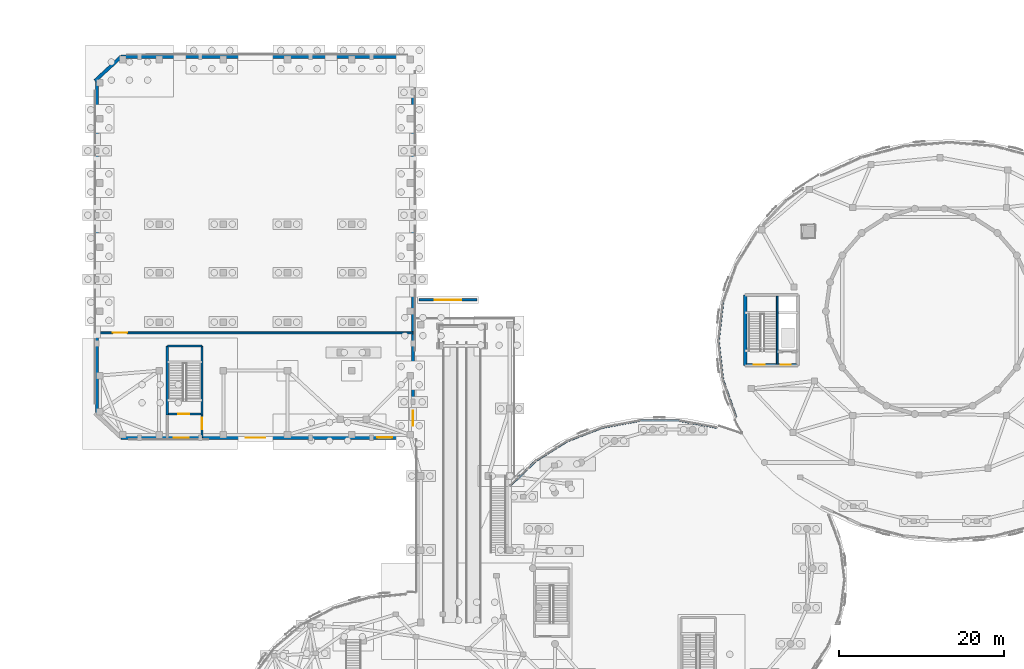
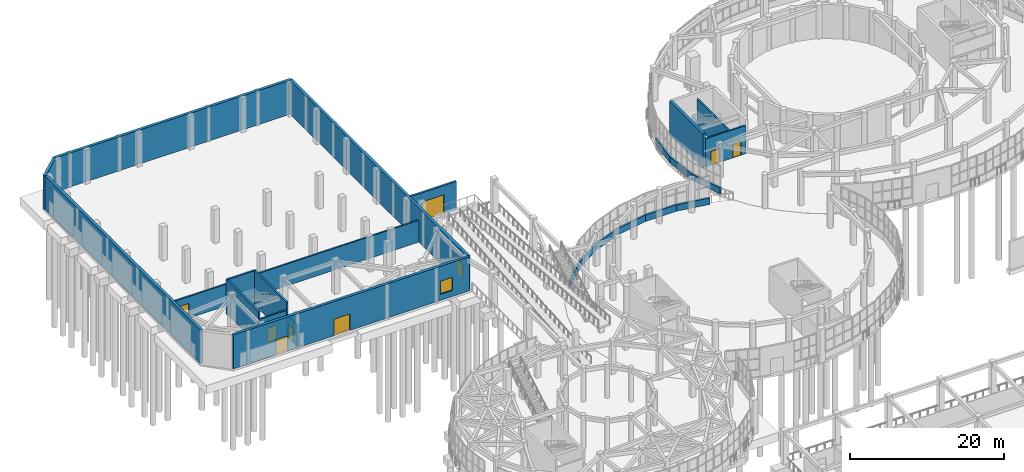
# One storey, part 75 of 96: 24 walls, 8 doors, 2 windows, 10 openings.
"""IFC4 building model written with IfcOpenShell, lengths in metres."""

import ifcopenshell
import ifcopenshell.guid

model = None  # the IFC model being written
_history = None  # IfcOwnerHistory: only IFC2X3 demands one
_inside = {}  # id of a spatial element -> (the spatial element, [elements in it])
_under = {}  # id of a project, library or spatial element -> (it, [spatial elements below it])
_declared = {}  # id of a project -> (the project, [libraries it declares])
_typed = {}  # id of a type object -> (the type object, [elements of that type])
_made_of = {}  # id of a material, layer set ... -> (it, [elements and type objects made of it])


def new_model(schema):
    """Start an empty IFC model of exactly this schema.

    Asked for "IFC4X3", IfcOpenShell would pick the latest addendum, in which some entities
    have other attributes; the version numbers below select the first issue.
    IFC2X3 requires an IfcOwnerHistory on every rooted entity: one is made here for all.
    """
    global model, _history
    if schema == "IFC4X3":
        model = ifcopenshell.file(schema_version=(4, 3, 0, 0))
    else:
        model = ifcopenshell.file(schema=schema)
    _inside.clear()
    _under.clear()
    _declared.clear()
    _typed.clear()
    _made_of.clear()
    _history = None
    if model.schema == "IFC2X3":
        org = make("IfcOrganization", Name="unknown")
        user = make(
            "IfcPersonAndOrganization",
            ThePerson=make("IfcPerson", FamilyName="unknown"),
            TheOrganization=org,
        )
        app = make(
            "IfcApplication",
            ApplicationDeveloper=org,
            Version="unknown",
            ApplicationFullName="unknown",
            ApplicationIdentifier="unknown",
        )
        _history = make(
            "IfcOwnerHistory",
            OwningUser=user,
            OwningApplication=app,
            ChangeAction="ADDED",
            CreationDate=0,
        )
    return model


def make(cls, **values):
    """One entity of the class cls with the attributes given. An attribute that is None is left unset."""
    return model.create_entity(
        cls, **{name: value for name, value in values.items() if value is not None}
    )


def rooted(cls, **values):
    """An entity with a GlobalId (a new one), such as an element, a storey or a relation."""
    return make(cls, GlobalId=ifcopenshell.guid.new(), OwnerHistory=_history, **values)


def si_unit(unit_type, name, prefix=None):
    """IfcSIUnit, for example si_unit("LENGTHUNIT", "METRE", prefix="MILLI")."""
    return make("IfcSIUnit", UnitType=unit_type, Prefix=prefix, Name=name)


def assignment(units):
    """IfcUnitAssignment: the units of a project."""
    return None if units is None else make("IfcUnitAssignment", Units=units)


def point(xyz):
    """IfcCartesianPoint."""
    return None if xyz is None else make("IfcCartesianPoint", Coordinates=xyz)


def direction(xyz):
    """IfcDirection."""
    return None if xyz is None else make("IfcDirection", DirectionRatios=xyz)


def frame(location, z_axis=None, x_axis=None):
    """IfcAxis2Placement3D, a coordinate frame: its origin and axes. An axis left out is left unset."""
    return make(
        "IfcAxis2Placement3D",
        Location=point(location),
        Axis=direction(z_axis),
        RefDirection=direction(x_axis),
    )


def frame_2d(location, x_axis=None):
    """IfcAxis2Placement2D, a coordinate frame in the plane: its origin and x axis."""
    return make(
        "IfcAxis2Placement2D", Location=point(location), RefDirection=direction(x_axis)
    )


def origin():
    """The frame at (0, 0, 0) with its axes left unset."""
    return frame((0.0, 0.0, 0.0))


def place(relative_to, where):
    """IfcLocalPlacement: puts the frame where relative to a parent placement (None: the world)."""
    return make(
        "IfcLocalPlacement", PlacementRelTo=relative_to, RelativePlacement=where
    )


def context(
    kind, dimensions, precision=None, world=None, true_north=None, identifier=None
):
    """IfcGeometricRepresentationContext, for example the 3D "Model" context."""
    return make(
        "IfcGeometricRepresentationContext",
        ContextIdentifier=identifier,
        ContextType=kind,
        CoordinateSpaceDimension=dimensions,
        Precision=precision,
        WorldCoordinateSystem=world,
        TrueNorth=true_north,
    )


def subcontext(parent, identifier, kind, view, scale=None):
    """IfcGeometricRepresentationSubContext, for example "Body" below "Model"."""
    return make(
        "IfcGeometricRepresentationSubContext",
        ContextIdentifier=identifier,
        ContextType=kind,
        ParentContext=parent,
        TargetScale=scale,
        TargetView=view,
    )


def project(units=None, contexts=None):
    """IfcProject with its units and contexts."""
    return rooted(
        "IfcProject",
        Name="project",
        RepresentationContexts=contexts,
        UnitsInContext=assignment(units),
    )


def spatial(cls, under=None, at=None, **own):
    """A site, building, storey or space (cls), placed at a placement, below another one or the project."""
    s = rooted(cls, ObjectPlacement=at, **own)
    if under is not None:
        _under.setdefault(under.id(), (under, []))[1].append(s)
    return s


def profile(cls, at=None, kind="AREA", **sizes):
    """A parametric profile (cls). Its sizes go by their IFC names, for example OverallWidth=200.0."""
    return make(cls, ProfileType=kind, Position=at, **sizes)


def rectangle(**sizes):
    """IfcRectangleProfileDef."""
    return profile("IfcRectangleProfileDef", **sizes)


def extrude(swept, where, along, depth):
    """IfcExtrudedAreaSolid: the profile swept, set in the frame where, extruded along a direction by depth."""
    return make(
        "IfcExtrudedAreaSolid",
        SweptArea=swept,
        Position=where,
        ExtrudedDirection=direction(along),
        Depth=depth,
    )


def shape(context_of_items, identifier, shape_type, items):
    """IfcShapeRepresentation: the items that make up one representation, for example the "Body"."""
    return make(
        "IfcShapeRepresentation",
        ContextOfItems=context_of_items,
        RepresentationIdentifier=identifier,
        RepresentationType=shape_type,
        Items=items,
    )


def material(Name=None, Category=None):
    """IfcMaterial."""
    return make("IfcMaterial", Name=Name, Category=Category)


def layer(
    of_material, thickness, ventilated=None, Name=None, Category=None, Priority=None
):
    """IfcMaterialLayer: one layer of a wall or slab, of a material (None: an air gap)."""
    return make(
        "IfcMaterialLayer",
        Material=of_material,
        LayerThickness=thickness,
        IsVentilated=ventilated,
        Name=Name,
        Category=Category,
        Priority=Priority,
    )


def layer_set(layers, Name=None):
    """IfcMaterialLayerSet."""
    return make("IfcMaterialLayerSet", MaterialLayers=layers, LayerSetName=Name)


def made_of(thing, what):
    """Note that an element or type object is made of a material, layer set ...; save() writes the relation."""
    if what is not None:
        _made_of.setdefault(what.id(), (what, []))[1].append(thing)
    return thing


def type_object(cls, material=None, **own):
    """A type object (cls), such as IfcWallType, which elements share."""
    return made_of(rooted(cls, **own), material)


def element(
    cls,
    number,
    at=None,
    inside=None,
    cuts=None,
    type_object=None,
    material=None,
    context=None,
    identifier="Body",
    shape_type=None,
    held_by="IfcProductDefinitionShape",
    body=None,
    shapes=None,
    **own,
):
    """One element of the class cls, such as IfcWall. Its Tag is "e" and its number.

    at: its placement. inside: the storey or other place that contains it. cuts: it is an
    opening in that element (IfcRelVoidsElement). A single representation is given by context,
    identifier, shape_type and body (its items); several are given by shapes. held_by: the class
    of the entity that holds the representations. save() writes the other relations.
    """
    e = rooted(cls, Tag="e%d" % number, ObjectPlacement=at, **own)
    if body is not None:
        shapes = [shape(context, identifier, shape_type, body)]
    if shapes is not None:
        e.Representation = make(held_by, Representations=shapes)
    if inside is not None:
        _inside.setdefault(inside.id(), (inside, []))[1].append(e)
    if cuts is not None:
        rooted(
            "IfcRelVoidsElement", RelatingBuildingElement=cuts, RelatedOpeningElement=e
        )
    if type_object is not None:
        _typed.setdefault(type_object.id(), (type_object, []))[1].append(e)
    return made_of(e, material)


def fill(opening, filler):
    """IfcRelFillsElement: the door or window that sits in an opening."""
    return rooted(
        "IfcRelFillsElement",
        RelatingOpeningElement=opening,
        RelatedBuildingElement=filler,
    )


def aggregate(whole, parts):
    """IfcRelAggregates: a whole, such as a stair, and the parts it consists of."""
    return rooted("IfcRelAggregates", RelatingObject=whole, RelatedObjects=parts)


def save(model, path):
    """Write the relations noted so far, then the file.

    IfcRelAggregates (storeys below a building ...), IfcRelContainedInSpatialStructure (elements
    in a storey), IfcRelDefinesByType, IfcRelAssociatesMaterial and IfcRelDeclares: one each for
    every whole, place, type object, material and project.
    """
    for whole, parts in _under.values():
        aggregate(whole, parts)
    for where, things in _inside.values():
        rooted(
            "IfcRelContainedInSpatialStructure",
            RelatedElements=things,
            RelatingStructure=where,
        )
    for kind, things in _typed.values():
        rooted("IfcRelDefinesByType", RelatedObjects=things, RelatingType=kind)
    for what, things in _made_of.values():
        rooted("IfcRelAssociatesMaterial", RelatedObjects=things, RelatingMaterial=what)
    for by, libraries in _declared.values():
        rooted("IfcRelDeclares", RelatingContext=by, RelatedDefinitions=libraries)
    model.write(path)


model = new_model("IFC4")

# Units and contexts
model_context = context("Model", 3, precision=1e-05, world=origin(), true_north=direction((0.0, 1.0)))
body_context = subcontext(model_context, "Body", "Model", "MODEL_VIEW")
ifc_project = project(units=[si_unit("LENGTHUNIT", "METRE"), si_unit("AREAUNIT", "SQUARE_METRE"), si_unit("VOLUMEUNIT", "CUBIC_METRE"), si_unit("PLANEANGLEUNIT", "RADIAN"), si_unit("MASSUNIT", "GRAM", prefix="KILO")], contexts=[model_context])

# Site, building, storey
site_placement = place(None, origin())
site = spatial("IfcSite", under=ifc_project, at=site_placement, CompositionType="ELEMENT")
building_placement = place(site_placement, origin())
building = spatial("IfcBuilding", under=site, at=building_placement, Name="Pelvatis Terrace Science Centre", CompositionType="ELEMENT")
storey_placement = place(building_placement, origin())
storey = spatial("IfcBuildingStorey", under=building, at=storey_placement, Name="L00", CompositionType="ELEMENT", Elevation=0.0)

# Walls
ifc_material_1 = material(Name="Precast concrete C40/50 double acoustic shell", Category="concrete")
ifc_layer_1 = layer(ifc_material_1, 0.409912109375)
ifc_layer_set_1 = layer_set([ifc_layer_1], Name="Precast concrete C40/50 double acoustic shell")
wall_type_1 = type_object("IfcWallType", Name="WL-EXT-ACOU-410", PredefinedType="SOLIDWALL", material=ifc_layer_set_1)
wall_1_placement = place(storey_placement, frame((8.050048828125, 73.39990234375, 0.0), z_axis=(0.0, 0.0, 1.0), x_axis=(0.0, 1.0, 0.0)))
element("IfcWall", 1, at=wall_1_placement, inside=storey, type_object=wall_type_1, Name="Theatre classical stone acoustic wall W (L00)", PredefinedType="SOLIDWALL", context=body_context, shape_type="SweptSolid", body=[
    extrude(rectangle(XDim=40.400146484375, YDim=0.409912109375, at=frame_2d((20.2001953125, 0.0))), origin(), (0.0, 0.0, 1.0), 5.39990234375),
])
wall_2_placement = place(storey_placement, frame((11.0, 116.75, 0.0), z_axis=(0.0, 0.0, 1.0), x_axis=(1.0, 0.0, 0.0)))
element("IfcWall", 2, at=wall_2_placement, inside=storey, type_object=wall_type_1, Name="Theatre classical stone acoustic wall N (L00)", PredefinedType="SOLIDWALL", context=body_context, shape_type="SweptSolid", body=[
    extrude(rectangle(XDim=35.449951171875, YDim=0.409912109375, at=frame_2d((17.72509765625, 0.0))), origin(), (0.0, 0.0, 1.0), 5.39990234375),
])

# Wall, openings, doors, window
wall_3_placement = place(storey_placement, frame((46.449951171875, 70.449951171875, 0.0), z_axis=(0.0, 0.0, 1.0), x_axis=(-1.0, 0.0, 0.0)))
wall_3 = element("IfcWall", 3, at=wall_3_placement, inside=storey, type_object=wall_type_1, Name="Theatre classical stone acoustic wall S (L00)", PredefinedType="SOLIDWALL", context=body_context, shape_type="SweptSolid", body=[
    extrude(rectangle(XDim=35.449951171875, YDim=0.409912109375, at=frame_2d((17.72509765625, 0.0))), origin(), (0.0, 0.0, 1.0), 5.39990234375),
])
opening_1_placement = place(wall_3_placement, frame((17.949951171875, 0.0, 0.0)))
opening_1 = element("IfcOpeningElement", 4, at=opening_1_placement, cuts=wall_3, Name="Opening D-011", PredefinedType="OPENING", context=body_context, shape_type="SweptSolid", body=[
    extrude(rectangle(XDim=2.39990234375, YDim=2.60009765625, at=frame_2d((1.199951171875, 1.300048828125))), frame((0.0, 0.21484375, 0.0), z_axis=(0.0, -1.0, 0.0), x_axis=(1.0, 0.0, 0.0)), (0.0, 0.0, 1.0), 0.429931640625),
])
opening_2_placement = place(wall_3_placement, frame((27.25, 0.0, 0.0)))
opening_2 = element("IfcOpeningElement", 5, at=opening_2_placement, cuts=wall_3, Name="Opening D-012", PredefinedType="OPENING", context=body_context, shape_type="SweptSolid", body=[
    extrude(rectangle(XDim=1.800048828125, YDim=2.39990234375, at=frame_2d((0.89990234375, 1.199951171875))), frame((0.0, 0.21484375, 0.0), z_axis=(0.0, -1.0, 0.0), x_axis=(1.0, 0.0, 0.0)), (0.0, 0.0, 1.0), 0.429931640625),
])
opening_3_placement = place(wall_3_placement, frame((2.550048828125, 0.0, 0.949951171875)))
opening_3 = element("IfcOpeningElement", 6, at=opening_3_placement, cuts=wall_3, Name="Opening W-001", PredefinedType="OPENING", context=body_context, shape_type="SweptSolid", body=[
    extrude(rectangle(XDim=1.800048828125, YDim=2.10009765625, at=frame_2d((0.89990234375, 1.050048828125))), frame((0.0, 0.21484375, 0.0), z_axis=(0.0, -1.0, 0.0), x_axis=(1.0, 0.0, 0.0)), (0.0, 0.0, 1.0), 0.429931640625),
])
ifc_material_2 = material(Name="Bronze-framed glazed double exit door", Category="glass")
door_type_1 = type_object("IfcDoorType", Name="DR-EXT-1800x2400", OperationType="NOTDEFINED", PredefinedType="DOOR", material=ifc_material_2)
door_1_placement = place(opening_2_placement, origin())
door_1 = element("IfcDoor", 7, at=door_1_placement, inside=storey, type_object=door_type_1, Name="Stair ST-07 protected exit discharge door D-012", OperationType="DOUBLE_DOOR_SINGLE_SWING", OverallHeight=2.39990234375, OverallWidth=1.800048828125, PredefinedType="DOOR", context=body_context, shape_type="SweptSolid", body=[
    extrude(rectangle(XDim=1.800048828125, YDim=2.39990234375, at=frame_2d((0.89990234375, 1.199951171875))), frame((0.0, 0.02490234375, 0.0), z_axis=(0.0, -1.0, 0.0), x_axis=(1.0, 0.0, 0.0)), (0.0, 0.0, 1.0), 0.050048828125),
])
fill(opening_2, door_1)
ifc_material_3 = material(Name="Bronze-framed glazed double entrance door", Category="glass")
door_type_2 = type_object("IfcDoorType", Name="DR-EXT-2400x2600", OperationType="NOTDEFINED", PredefinedType="DOOR", material=ifc_material_3)
door_2_placement = place(opening_1_placement, origin())
door_2 = element("IfcDoor", 8, at=door_2_placement, inside=storey, type_object=door_type_2, Name="Science Theatre south classical foyer portal door D-011", OperationType="DOUBLE_DOOR_SINGLE_SWING", OverallHeight=2.60009765625, OverallWidth=2.39990234375, PredefinedType="DOOR", context=body_context, shape_type="SweptSolid", body=[
    extrude(rectangle(XDim=2.39990234375, YDim=2.60009765625, at=frame_2d((1.199951171875, 1.300048828125))), frame((0.0, 0.02490234375, 0.0), z_axis=(0.0, -1.0, 0.0), x_axis=(1.0, 0.0, 0.0)), (0.0, 0.0, 1.0), 0.050048828125),
])
fill(opening_1, door_2)
ifc_material_4 = material(Name="Bronze-anodised aluminium and laminated low-e glass", Category="aluminium")
window_type = type_object("IfcWindowType", Name="WIN-LAB-1800x2100", PartitioningType="SINGLE_PANEL", PredefinedType="WINDOW", material=ifc_material_4)
window_1_placement = place(opening_3_placement, origin())
window_1 = element("IfcWindow", 9, at=window_1_placement, inside=storey, type_object=window_type, Name="Theatre south Art Deco foyer window W-001", OverallHeight=2.10009765625, OverallWidth=1.800048828125, PartitioningType="SINGLE_PANEL", PredefinedType="WINDOW", context=body_context, shape_type="SweptSolid", body=[
    extrude(rectangle(XDim=1.800048828125, YDim=2.10009765625, at=frame_2d((0.89990234375, 1.050048828125))), frame((0.0, 0.030029296875, 0.0), z_axis=(0.0, -1.0, 0.0), x_axis=(1.0, 0.0, 0.0)), (0.0, 0.0, 1.0), 0.06005859375),
])
fill(opening_3, window_1)

# Wall, opening, window
wall_4_placement = place(storey_placement, frame((46.449951171875, 70.449951171875, 0.0), z_axis=(0.0, 0.0, 1.0), x_axis=(0.0, 1.0, 0.0)))
wall_4 = element("IfcWall", 10, at=wall_4_placement, inside=storey, type_object=wall_type_1, Name="Theatre classical stone acoustic wall E (L00)", PredefinedType="SOLIDWALL", context=body_context, shape_type="SweptSolid", body=[
    extrude(rectangle(XDim=46.300048828125, YDim=0.409912109375, at=frame_2d((23.14990234375, 0.0))), origin(), (0.0, 0.0, 1.0), 5.39990234375),
])
opening_4_placement = place(wall_4_placement, frame((1.449951171875, 0.0, 0.949951171875)))
opening_4 = element("IfcOpeningElement", 11, at=opening_4_placement, cuts=wall_4, Name="Opening W-002", PredefinedType="OPENING", context=body_context, shape_type="SweptSolid", body=[
    extrude(rectangle(XDim=1.800048828125, YDim=2.10009765625, at=frame_2d((0.89990234375, 1.050048828125))), frame((0.0, 0.21484375, 0.0), z_axis=(0.0, -1.0, 0.0), x_axis=(1.0, 0.0, 0.0)), (0.0, 0.0, 1.0), 0.429931640625),
])
window_2_placement = place(opening_4_placement, origin())
window_2 = element("IfcWindow", 12, at=window_2_placement, inside=storey, type_object=window_type, Name="Theatre east foyer window W-002", OverallHeight=2.10009765625, OverallWidth=1.800048828125, PartitioningType="SINGLE_PANEL", PredefinedType="WINDOW", context=body_context, shape_type="SweptSolid", body=[
    extrude(rectangle(XDim=1.800048828125, YDim=2.10009765625, at=frame_2d((0.89990234375, 1.050048828125))), frame((0.0, 0.030029296875, 0.0), z_axis=(0.0, -1.0, 0.0), x_axis=(1.0, 0.0, 0.0)), (0.0, 0.0, 1.0), 0.06005859375),
])
fill(opening_4, window_2)

# Wall
wall_5_placement = place(storey_placement, frame((7.800048828125, 113.800048828125, 0.0), z_axis=(0.0, 0.0, 1.0), x_axis=(0.735244168043, 0.677802340922, 0.0)))
element("IfcWall", 13, at=wall_5_placement, inside=storey, type_object=wall_type_1, Name="Theatre classical stone acoustic wall NW (L00)", PredefinedType="SOLIDWALL", context=body_context, shape_type="SweptSolid", body=[
    extrude(rectangle(XDim=4.352294921875, YDim=0.409912109375, at=frame_2d((2.17626953125, 0.0))), origin(), (0.0, 0.0, 1.0), 5.39990234375),
])

# Wall, opening, door
ifc_material_5 = material(Name="Precast concrete C35/45 architectural stone", Category="masonry")
ifc_layer_2 = layer(ifc_material_5, 0.324951171875)
ifc_layer_set_2 = layer_set([ifc_layer_2], Name="Precast concrete C35/45 architectural stone")
wall_type_2 = type_object("IfcWallType", Name="WL-EXT-PREC-325", PredefinedType="SOLIDWALL", material=ifc_layer_set_2)
wall_6_placement = place(storey_placement, frame((47.199951171875, 87.199951171875, 0.0), z_axis=(0.0, 0.0, 1.0), x_axis=(1.0, 0.0, 0.0)))
wall_6 = element("IfcWall", 14, at=wall_6_placement, inside=storey, type_object=wall_type_2, Name="L00 exterior wall EW-L00-CRTGATE1", PredefinedType="SOLIDWALL", context=body_context, shape_type="SweptSolid", body=[
    extrude(rectangle(XDim=7.0, YDim=0.324951171875, at=frame_2d((3.5, 0.0))), origin(), (0.0, 0.0, 1.0), 4.4599609375),
])
opening_5_placement = place(wall_6_placement, frame((1.89990234375, 0.0, 0.0)))
opening_5 = element("IfcOpeningElement", 15, at=opening_5_placement, cuts=wall_6, Name="Opening G-001", PredefinedType="OPENING", context=body_context, shape_type="SweptSolid", body=[
    extrude(rectangle(XDim=3.199951171875, YDim=3.0, at=frame_2d((1.60009765625, 1.5))), frame((0.0, 0.17236328125, 0.0), z_axis=(0.0, -1.0, 0.0), x_axis=(1.0, 0.0, 0.0)), (0.0, 0.0, 1.0), 0.344970703125),
])
ifc_material_6 = material(Name="Perforated bronze courtyard service gate", Category="aluminium")
door_type_3 = type_object("IfcDoorType", Name="GT-SRV-3200x3000", OperationType="NOTDEFINED", PredefinedType="GATE", material=ifc_material_6)
door_3_placement = place(opening_5_placement, origin())
door_3 = element("IfcDoor", 16, at=door_3_placement, inside=storey, type_object=door_type_3, Name="Geological court service gate G-001", OperationType="DOUBLE_DOOR_SINGLE_SWING", OverallHeight=3.0, OverallWidth=3.199951171875, PredefinedType="GATE", context=body_context, shape_type="SweptSolid", body=[
    extrude(rectangle(XDim=3.199951171875, YDim=3.0, at=frame_2d((1.60009765625, 1.5))), frame((0.0, 0.02490234375, 0.0), z_axis=(0.0, -1.0, 0.0), x_axis=(1.0, 0.0, 0.0)), (0.0, 0.0, 1.0), 0.050048828125),
])
fill(opening_5, door_3)

# Walls
ifc_material_7 = material(Name="White architectural precast concrete C40/50 spandrel", Category="concrete")
ifc_layer_3 = layer(ifc_material_7, 0.27490234375)
ifc_layer_set_3 = layer_set([ifc_layer_3], Name="White architectural precast concrete C40/50 spandrel")
wall_type_3 = type_object("IfcWallType", Name="WL-EXT-SPND-275", PredefinedType="SOLIDWALL", material=ifc_layer_set_3)
wall_7_placement = place(storey_placement, frame((83.33740234375, 71.697998046875, 0.0), z_axis=(0.0, 0.0, 1.0), x_axis=(-0.983461524826, 0.181117169776, 0.0)))
element("IfcWall", 17, at=wall_7_placement, inside=storey, type_object=wall_type_3, Name="V2 white spiral spandrel band 07 (L00)", PredefinedType="SOLIDWALL", context=body_context, shape_type="SweptSolid", body=[
    extrude(rectangle(XDim=4.66796875, YDim=0.27490234375, at=frame_2d((2.333984375, 0.0))), origin(), (0.0, 0.0, 1.0), 1.02001953125),
])
wall_8_placement = place(storey_placement, frame((78.74658203125, 72.54345703125, 0.0), z_axis=(0.0, 0.0, 1.0), x_axis=(-1.0, 0.0, 0.0)))
element("IfcWall", 18, at=wall_8_placement, inside=storey, type_object=wall_type_3, Name="V2 white spiral spandrel band 08 (L00)", PredefinedType="SOLIDWALL", context=body_context, shape_type="SweptSolid", body=[
    extrude(rectangle(XDim=4.693359375, YDim=0.27490234375, at=frame_2d((2.3466796875, 0.0))), origin(), (0.0, 0.0, 1.0), 1.02001953125),
])
wall_9_placement = place(storey_placement, frame((74.05322265625, 72.54345703125, 0.0), z_axis=(0.0, 0.0, 1.0), x_axis=(-0.983459809052, -0.181126486132, 0.0)))
element("IfcWall", 19, at=wall_9_placement, inside=storey, type_object=wall_type_3, Name="V2 white spiral spandrel band 09 (L00)", PredefinedType="SOLIDWALL", context=body_context, shape_type="SweptSolid", body=[
    extrude(rectangle(XDim=4.667724609375, YDim=0.27490234375, at=frame_2d((2.333984375, 0.0))), origin(), (0.0, 0.0, 1.0), 1.02001953125),
])
wall_10_placement = place(storey_placement, frame((69.462646484375, 71.697998046875, 0.0), z_axis=(0.0, 0.0, 1.0), x_axis=(-0.933000129412, -0.359876032151, 0.0)))
element("IfcWall", 20, at=wall_10_placement, inside=storey, type_object=wall_type_3, Name="V2 white spiral spandrel band 10 (L00)", PredefinedType="SOLIDWALL", context=body_context, shape_type="SweptSolid", body=[
    extrude(rectangle(XDim=4.595458984375, YDim=0.27490234375, at=frame_2d((2.2978515625, 0.0))), origin(), (0.0, 0.0, 1.0), 1.02001953125),
])
wall_11_placement = place(storey_placement, frame((65.175048828125, 70.044189453125, 0.0), z_axis=(0.0, 0.0, 1.0), x_axis=(-0.846321881283, -0.532671825106, 0.0)))
element("IfcWall", 21, at=wall_11_placement, inside=storey, type_object=wall_type_3, Name="V2 white spiral spandrel band 11 (L00)", PredefinedType="SOLIDWALL", context=body_context, shape_type="SweptSolid", body=[
    extrude(rectangle(XDim=4.486572265625, YDim=0.27490234375, at=frame_2d((2.2431640625, 0.0))), origin(), (0.0, 0.0, 1.0), 1.02001953125),
])
wall_12_placement = place(storey_placement, frame((61.3779296875, 67.654296875, 0.0), z_axis=(0.0, 0.0, 1.0), x_axis=(-0.720560669205, -0.693391896402, 0.0)))
element("IfcWall", 22, at=wall_12_placement, inside=storey, type_object=wall_type_3, Name="V2 white spiral spandrel band 12 (L00)", PredefinedType="SOLIDWALL", context=body_context, shape_type="SweptSolid", body=[
    extrude(rectangle(XDim=4.358154296875, YDim=0.27490234375, at=frame_2d((2.17919921875, 0.0))), origin(), (0.0, 0.0, 1.0), 1.02001953125),
])
for number, where, z_axis, x_axis, name in (
    (23, (84.089111328125, 86.911376953125, 0.0), (0.0, 0.0, 1.0), (-0.113674364195, -0.9935180617, 0.0), "V1 white spiral spandrel band 16 (L00)"),
    (24, (83.550048828125, 82.199951171875, 0.0), (0.0, 0.0, 1.0), (0.113674364195, -0.9935180617, 0.0), "V1 white spiral spandrel band 17 (L00)"),
):
    element("IfcWall", number, at=place(storey_placement, frame(where, z_axis=z_axis, x_axis=x_axis)), inside=storey, type_object=wall_type_3, Name=name, PredefinedType="SOLIDWALL", context=body_context, shape_type="SweptSolid", body=[
        extrude(rectangle(XDim=4.7421875, YDim=0.27490234375, at=frame_2d((2.37109375, 0.0))), origin(), (0.0, 0.0, 1.0), 1.02001953125),
    ])
wall_13_placement = place(storey_placement, frame((84.089111328125, 77.488525390625, 0.0), z_axis=(0.0, 0.0, 1.0), x_axis=(0.332314915651, -0.943168488042, 0.0)))
element("IfcWall", 25, at=wall_13_placement, inside=storey, type_object=wall_type_3, Name="V1 white spiral spandrel band 18 (L00)", PredefinedType="SOLIDWALL", context=body_context, shape_type="SweptSolid", body=[
    extrude(rectangle(XDim=4.80322265625, YDim=0.27490234375, at=frame_2d((2.401611328125, 0.0))), origin(), (0.0, 0.0, 1.0), 1.02001953125),
])

# Wall, opening, door
ifc_material_8 = material(Name="Acoustic theatre and planetarium lobby wall", Category="masonry")
ifc_layer_4 = layer(ifc_material_8, 0.235107421875)
ifc_layer_set_4 = layer_set([ifc_layer_4], Name="Acoustic theatre and planetarium lobby wall")
wall_type_4 = type_object("IfcWallType", Name="WL-INT-ACOU-235", PredefinedType="PARTITIONING", material=ifc_layer_set_4)
wall_14_placement = place(storey_placement, frame((8.050048828125, 83.199951171875, 0.0), z_axis=(0.0, 0.0, 1.0), x_axis=(1.0, 0.0, 0.0)))
wall_14 = element("IfcWall", 26, at=wall_14_placement, inside=storey, type_object=wall_type_4, Name="Science Theatre Stage House, Green Room and Prep partition wall S", PredefinedType="PARTITIONING", context=body_context, shape_type="SweptSolid", body=[
    extrude(rectangle(XDim=38.39990234375, YDim=0.235107421875, at=frame_2d((19.199951171875, 0.0))), origin(), (0.0, 0.0, 1.0), 3.449951171875),
])
opening_6_placement = place(wall_14_placement, frame((1.89990234375, 0.0, 0.0)))
opening_6 = element("IfcOpeningElement", 27, at=opening_6_placement, cuts=wall_14, Name="Opening D-177", PredefinedType="OPENING", context=body_context, shape_type="SweptSolid", body=[
    extrude(rectangle(XDim=1.800048828125, YDim=2.35009765625, at=frame_2d((0.89990234375, 1.175048828125))), frame((0.0, 0.12744140625, 0.0), z_axis=(0.0, -1.0, 0.0), x_axis=(1.0, 0.0, 0.0)), (0.0, 0.0, 1.0), 0.255126953125),
])
ifc_material_9 = material(Name="Acoustic padded theatre sound-lock double door", Category="wood")
door_type_4 = type_object("IfcDoorType", Name="DR-THTR-1800x2350", OperationType="NOTDEFINED", PredefinedType="DOOR", material=ifc_material_9)
door_4_placement = place(opening_6_placement, origin())
door_4 = element("IfcDoor", 28, at=door_4_placement, inside=storey, type_object=door_type_4, Name="Science Theatre Stage House, Green Room and Prep entrance door", OperationType="DOUBLE_DOOR_SINGLE_SWING", OverallHeight=2.35009765625, OverallWidth=1.800048828125, PredefinedType="DOOR", context=body_context, shape_type="SweptSolid", body=[
    extrude(rectangle(XDim=1.800048828125, YDim=2.35009765625, at=frame_2d((0.89990234375, 1.175048828125))), frame((0.0, 0.02490234375, 0.0), z_axis=(0.0, -1.0, 0.0), x_axis=(1.0, 0.0, 0.0)), (0.0, 0.0, 1.0), 0.050048828125),
])
fill(opening_6, door_4)

# Wall
ifc_material_10 = material(Name="Concrete C35/45 shaft dividing wall", Category="concrete")
ifc_layer_5 = layer(ifc_material_10, 0.2099609375)
ifc_layer_set_5 = layer_set([ifc_layer_5], Name="Concrete C35/45 shaft dividing wall")
wall_type_5 = type_object("IfcWallType", Name="WL-INT-CORE-210", PredefinedType="PARTITIONING", material=ifc_layer_set_5)
wall_15_placement = place(storey_placement, frame((90.699951171875, 79.35009765625, 0.0), z_axis=(0.0, 0.0, 1.0), x_axis=(0.0, 1.0, 0.0)))
element("IfcWall", 29, at=wall_15_placement, inside=storey, type_object=wall_type_5, Name="Core C1 stair-lift shaft fire wall (L00)", PredefinedType="PARTITIONING", context=body_context, shape_type="SweptSolid", body=[
    extrude(rectangle(XDim=8.2998046875, YDim=0.2099609375, at=frame_2d((4.14990234375, 0.0))), origin(), (0.0, 0.0, 1.0), 4.4599609375),
])

# Wall, opening, door
wall_16_placement = place(storey_placement, frame((20.800048828125, 73.199951171875, 0.0), z_axis=(0.0, 0.0, 1.0), x_axis=(0.0, -1.0, 0.0)))
wall_16 = element("IfcWall", 30, at=wall_16_placement, inside=storey, type_object=wall_type_5, Name="Protected Exit Discharge Lobby EX7 partition wall E", PredefinedType="PARTITIONING", context=body_context, shape_type="SweptSolid", body=[
    extrude(rectangle(XDim=2.75, YDim=0.2099609375, at=frame_2d((1.375, 0.0))), origin(), (0.0, 0.0, 1.0), 3.449951171875),
])
opening_7_placement = place(wall_16_placement, frame((0.35009765625, 0.0, 0.0)))
opening_7 = element("IfcOpeningElement", 31, at=opening_7_placement, cuts=wall_16, Name="Opening D-180", PredefinedType="OPENING", context=body_context, shape_type="SweptSolid", body=[
    extrude(rectangle(XDim=1.35009765625, YDim=2.199951171875, at=frame_2d((0.675048828125, 1.10009765625))), frame((0.0, 0.114990234375, 0.0), z_axis=(0.0, -1.0, 0.0), x_axis=(1.0, 0.0, 0.0)), (0.0, 0.0, 1.0), 0.22998046875),
])
ifc_material_11 = material(Name="Steel fire-rated protected stair door", Category="steel")
door_type_5 = type_object("IfcDoorType", Name="DR-STAIR-1350x2200", OperationType="NOTDEFINED", PredefinedType="DOOR", material=ifc_material_11)
door_5_placement = place(opening_7_placement, origin())
door_5 = element("IfcDoor", 32, at=door_5_placement, inside=storey, type_object=door_type_5, Name="Protected Exit Discharge Lobby EX7 entrance door", OperationType="SINGLE_SWING_LEFT", OverallHeight=2.199951171875, OverallWidth=1.35009765625, PredefinedType="DOOR", context=body_context, shape_type="SweptSolid", body=[
    extrude(rectangle(XDim=1.35009765625, YDim=2.199951171875, at=frame_2d((0.675048828125, 1.10009765625))), frame((0.0, 0.02490234375, 0.0), z_axis=(0.0, -1.0, 0.0), x_axis=(1.0, 0.0, 0.0)), (0.0, 0.0, 1.0), 0.050048828125),
])
fill(opening_7, door_5)

ifc_material_12 = material(Name="Concrete C35/45 stair enclosure wall", Category="concrete")
ifc_layer_6 = layer(ifc_material_12, 0.22509765625)
ifc_layer_set_6 = layer_set([ifc_layer_6], Name="Concrete C35/45 stair enclosure wall")
wall_type_6 = type_object("IfcWallType", Name="WL-INT-CORE-225", PredefinedType="PARTITIONING", material=ifc_layer_set_6)
wall_17_placement = place(storey_placement, frame((16.739990234375, 73.320068359375, 0.0), z_axis=(0.0, 0.0, 1.0), x_axis=(1.0, 0.0, 0.0)))
wall_17 = element("IfcWall", 33, at=wall_17_placement, inside=storey, type_object=wall_type_6, Name="Stair ST-07 shaft wall S (L00)", PredefinedType="PARTITIONING", context=body_context, shape_type="SweptSolid", body=[
    extrude(rectangle(XDim=3.919921875, YDim=0.22509765625, at=frame_2d((1.9599609375, 0.0))), origin(), (0.0, 0.0, 1.0), 4.110107421875),
])
opening_8_placement = place(wall_17_placement, frame((1.173095703125, 0.0, 0.0)))
opening_8 = element("IfcOpeningElement", 34, at=opening_8_placement, cuts=wall_17, Name="Opening D-157", PredefinedType="OPENING", context=body_context, shape_type="SweptSolid", body=[
    extrude(rectangle(XDim=1.35009765625, YDim=2.199951171875, at=frame_2d((0.675048828125, 1.10009765625))), frame((0.0, 0.12255859375, 0.0), z_axis=(0.0, -1.0, 0.0), x_axis=(1.0, 0.0, 0.0)), (0.0, 0.0, 1.0), 0.2451171875),
])
door_6_placement = place(opening_8_placement, origin())
door_6 = element("IfcDoor", 35, at=door_6_placement, inside=storey, type_object=door_type_5, Name="Stair ST-07 fire door (L00)", OperationType="SINGLE_SWING_LEFT", OverallHeight=2.199951171875, OverallWidth=1.35009765625, PredefinedType="DOOR", context=body_context, shape_type="SweptSolid", body=[
    extrude(rectangle(XDim=1.35009765625, YDim=2.199951171875, at=frame_2d((0.675048828125, 1.10009765625))), frame((0.0, 0.02490234375, 0.0), z_axis=(0.0, -1.0, 0.0), x_axis=(1.0, 0.0, 0.0)), (0.0, 0.0, 1.0), 0.050048828125),
])
fill(opening_8, door_6)

# Wall, openings, doors
ifc_material_13 = material(Name="Concrete C35/45 shaft enclosure wall", Category="concrete")
ifc_layer_7 = layer(ifc_material_13, 0.239990234375)
ifc_layer_set_7 = layer_set([ifc_layer_7], Name="Concrete C35/45 shaft enclosure wall")
wall_type_7 = type_object("IfcWallType", Name="WL-INT-CORE-240", PredefinedType="PARTITIONING", material=ifc_layer_set_7)
wall_18_placement = place(storey_placement, frame((86.949951171875, 79.320068359375, 0.0), z_axis=(0.0, 0.0, 1.0), x_axis=(1.0, 0.0, 0.0)))
wall_18 = element("IfcWall", 36, at=wall_18_placement, inside=storey, type_object=wall_type_7, Name="Core C1 fire-rated lobby wall (L00)", PredefinedType="PARTITIONING", context=body_context, shape_type="SweptSolid", body=[
    extrude(rectangle(XDim=6.10009765625, YDim=0.239990234375, at=frame_2d((3.050048828125, 0.0))), origin(), (0.0, 0.0, 1.0), 4.4599609375),
])
opening_9_placement = place(wall_18_placement, frame((0.89990234375, 0.0, 0.0)))
opening_9 = element("IfcOpeningElement", 37, at=opening_9_placement, cuts=wall_18, Name="Opening D-103", PredefinedType="OPENING", context=body_context, shape_type="SweptSolid", body=[
    extrude(rectangle(XDim=1.35009765625, YDim=2.199951171875, at=frame_2d((0.675048828125, 1.10009765625))), frame((0.0, 0.1298828125, 0.0), z_axis=(0.0, -1.0, 0.0), x_axis=(1.0, 0.0, 0.0)), (0.0, 0.0, 1.0), 0.260009765625),
])
opening_10_placement = place(wall_18_placement, frame((4.199951171875, 0.0, 0.0)))
opening_10 = element("IfcOpeningElement", 38, at=opening_10_placement, cuts=wall_18, Name="Opening D-104", PredefinedType="OPENING", context=body_context, shape_type="SweptSolid", body=[
    extrude(rectangle(XDim=1.199951171875, YDim=2.199951171875, at=frame_2d((0.60009765625, 1.10009765625))), frame((0.0, 0.1298828125, 0.0), z_axis=(0.0, -1.0, 0.0), x_axis=(1.0, 0.0, 0.0)), (0.0, 0.0, 1.0), 0.260009765625),
])
ifc_material_14 = material(Name="Steel fire-rated exit stair door", Category="steel")
door_type_6 = type_object("IfcDoorType", Name="DR-STAIR-1200x2200", OperationType="NOTDEFINED", PredefinedType="DOOR", material=ifc_material_14)
door_7_placement = place(opening_10_placement, origin())
door_7 = element("IfcDoor", 39, at=door_7_placement, inside=storey, type_object=door_type_6, Name="Core C1 lift lobby fire door (L00)", OperationType="SINGLE_SWING_LEFT", OverallHeight=2.199951171875, OverallWidth=1.199951171875, PredefinedType="DOOR", context=body_context, shape_type="SweptSolid", body=[
    extrude(rectangle(XDim=1.199951171875, YDim=2.199951171875, at=frame_2d((0.60009765625, 1.10009765625))), frame((0.0, 0.02490234375, 0.0), z_axis=(0.0, -1.0, 0.0), x_axis=(1.0, 0.0, 0.0)), (0.0, 0.0, 1.0), 0.050048828125),
])
fill(opening_10, door_7)
door_8_placement = place(opening_9_placement, origin())
door_8 = element("IfcDoor", 40, at=door_8_placement, inside=storey, type_object=door_type_5, Name="Core C1 protected stair fire door (L00)", OperationType="SINGLE_SWING_RIGHT", OverallHeight=2.199951171875, OverallWidth=1.35009765625, PredefinedType="DOOR", context=body_context, shape_type="SweptSolid", body=[
    extrude(rectangle(XDim=1.35009765625, YDim=2.199951171875, at=frame_2d((0.675048828125, 1.10009765625))), frame((0.0, 0.02490234375, 0.0), z_axis=(0.0, -1.0, 0.0), x_axis=(1.0, 0.0, 0.0)), (0.0, 0.0, 1.0), 0.050048828125),
])
fill(opening_9, door_8)

# Walls
ifc_material_15 = material(Name="Concrete C40/50", Category="concrete")
ifc_layer_8 = layer(ifc_material_15, 0.280029296875)
ifc_layer_set_8 = layer_set([ifc_layer_8], Name="Concrete C40/50")
wall_type_8 = type_object("IfcWallType", Name="WL-SHR-280", PredefinedType="SHEAR", material=ifc_layer_set_8)
wall_19_placement = place(storey_placement, frame((16.60009765625, 81.60009765625, 0.0), z_axis=(0.0, 0.0, 1.0), x_axis=(1.0, 0.0, 0.0)))
element("IfcWall", 41, at=wall_19_placement, inside=storey, type_object=wall_type_8, Name="Stair ST-07 structural wall N (L00)", PredefinedType="SHEAR", context=body_context, shape_type="SweptSolid", body=[
    extrude(rectangle(XDim=4.199951171875, YDim=0.280029296875, at=frame_2d((2.10009765625, 0.0))), origin(), (0.0, 0.0, 1.0), 5.39990234375),
])
for number, where, z_axis, x_axis, name in (
    (42, (16.60009765625, 73.199951171875, 0.0), (0.0, 0.0, 1.0), (0.0, 1.0, 0.0), "Stair ST-07 structural wall W (L00)"),
    (43, (20.800048828125, 73.199951171875, 0.0), (0.0, 0.0, 1.0), (0.0, 1.0, 0.0), "Stair ST-07 structural wall E (L00)"),
):
    element("IfcWall", number, at=place(storey_placement, frame(where, z_axis=z_axis, x_axis=x_axis)), inside=storey, type_object=wall_type_8, Name=name, PredefinedType="SHEAR", context=body_context, shape_type="SweptSolid", body=[
        extrude(rectangle(XDim=8.400146484375, YDim=0.280029296875, at=frame_2d((4.2001953125, 0.0))), origin(), (0.0, 0.0, 1.0), 5.39990234375),
    ])
ifc_material_16 = material(Name="Concrete C40/50", Category="concrete")
ifc_layer_9 = layer(ifc_material_16, 0.39990234375)
ifc_layer_set_9 = layer_set([ifc_layer_9], Name="Concrete C40/50")
wall_type_9 = type_object("IfcWallType", Name="WL-SHR-400", PredefinedType="SHEAR", material=ifc_layer_set_9)
wall_20_placement = place(storey_placement, frame((86.800048828125, 79.199951171875, 0.0), z_axis=(0.0, 0.0, 1.0), x_axis=(0.0, 1.0, 0.0)))
element("IfcWall", 44, at=wall_20_placement, inside=storey, type_object=wall_type_9, Name="Core C1 shear wall W (L00)", PredefinedType="SHEAR", context=body_context, shape_type="SweptSolid", body=[
    extrude(rectangle(XDim=8.60009765625, YDim=0.39990234375, at=frame_2d((4.300048828125, 0.0))), origin(), (0.0, 0.0, 1.0), 5.39990234375),
])

save(model, "model.ifc")
